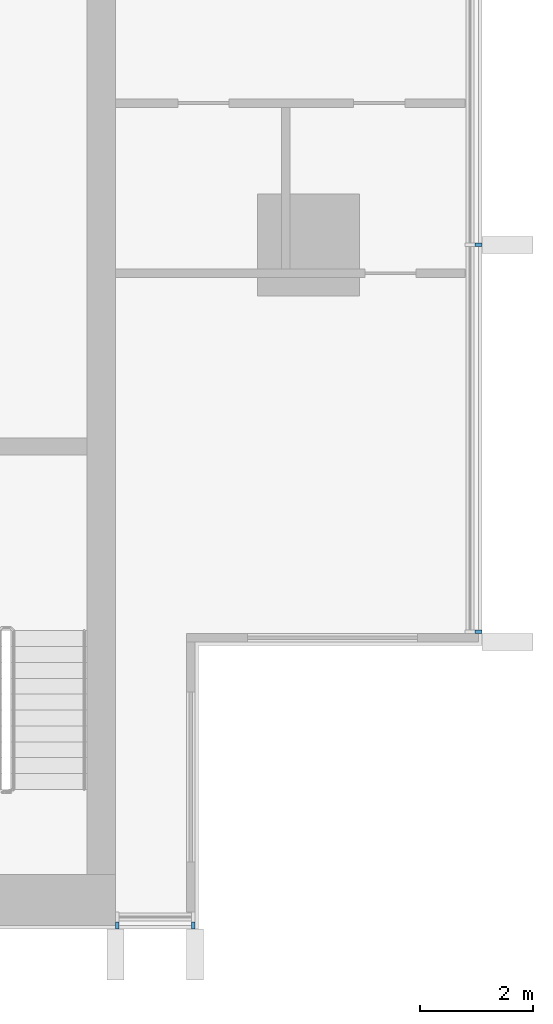
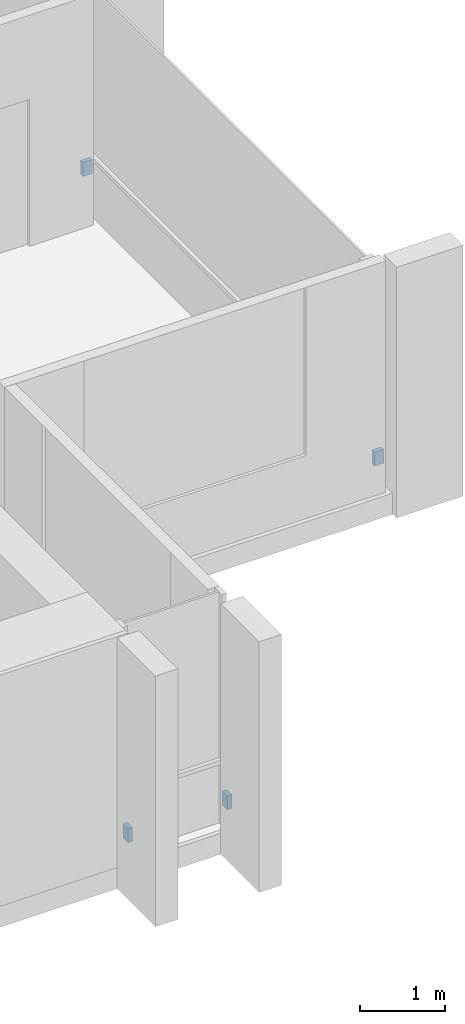
# One storey, part 13 of 16: 4 discrete accessories.
"""IFC4 building model written with IfcOpenShell, lengths in metres."""

from ifc_helpers import new_model, si_unit, direction, frame, origin, origin_2d, place, context, subcontext, project, spatial, rectangle, extrude, material, type_object, element, save


model = new_model("IFC4")

# Units and contexts
model_context = context("Model", 3, precision=1e-05, world=origin(), true_north=direction((0.0, 1.0)))
body_context = subcontext(model_context, "Body", "Model", "MODEL_VIEW")
ifc_project = project(units=[si_unit("LENGTHUNIT", "METRE"), si_unit("AREAUNIT", "SQUARE_METRE"), si_unit("VOLUMEUNIT", "CUBIC_METRE"), si_unit("PLANEANGLEUNIT", "RADIAN"), si_unit("MASSUNIT", "GRAM", prefix="KILO")], contexts=[model_context])

# Site, building, storey
site_placement = place(None, origin())
site = spatial("IfcSite", under=ifc_project, at=site_placement, CompositionType="ELEMENT")
building_placement = place(site_placement, origin())
building = spatial("IfcBuilding", under=site, at=building_placement, Name="Finial Court Residences", CompositionType="ELEMENT")
storey_placement = place(building_placement, frame((0.0, 0.0, 262.699951171875)))
storey = spatial("IfcBuildingStorey", under=building, at=storey_placement, Name="L66", CompositionType="ELEMENT", Elevation=262.699951171875)

# Discrete accessories
ifc_material = material(Name="Stainless steel 316", Category="steel")
discrete_accessory_type = type_object("IfcDiscreteAccessoryType", Name="Fin bracket, stainless steel 60 x 122 x 200", PredefinedType="BRACKET", material=ifc_material)
for number, where, z_axis, x_axis, name in (
    (1, (19.498779296875, -20.320068359375, 0.30029296875), (0.0, 0.0, 1.0), (1.0, 0.0, 0.0), "E-L66-FIN-E7-BRK"),
    (2, (19.498779296875, -13.5, 0.30029296875), (0.0, 0.0, 1.0), (1.0, 0.0, 0.0), "E-L66-FIN-E8-BRK"),
):
    element("IfcDiscreteAccessory", number, at=place(storey_placement, frame(where, z_axis=z_axis, x_axis=x_axis)), inside=storey, type_object=discrete_accessory_type, Name=name, PredefinedType="BRACKET", context=body_context, shape_type="SweptSolid", body=[
        extrude(rectangle(XDim=0.12255859375, YDim=0.06005859375, at=origin_2d()), origin(), (0.0, 0.0, 1.0), 0.199951171875),
    ])
for number, where, z_axis, x_axis, name in (
    (3, (13.1298828125, -25.498779296875, 0.30029296875), (0.0, 0.0, 1.0), (1.0, 0.0, 0.0), "E-L66-FIN-S19-BRK"),
    (4, (14.469970703125, -25.498779296875, 0.30029296875), (0.0, 0.0, 1.0), (1.0, 0.0, 0.0), "E-L66-FIN-S20-BRK"),
):
    element("IfcDiscreteAccessory", number, at=place(storey_placement, frame(where, z_axis=z_axis, x_axis=x_axis)), inside=storey, type_object=discrete_accessory_type, Name=name, PredefinedType="BRACKET", context=body_context, shape_type="SweptSolid", body=[
        extrude(rectangle(XDim=0.06005859375, YDim=0.12255859375, at=origin_2d()), origin(), (0.0, 0.0, 1.0), 0.199951171875),
    ])

save(model, "model.ifc")
